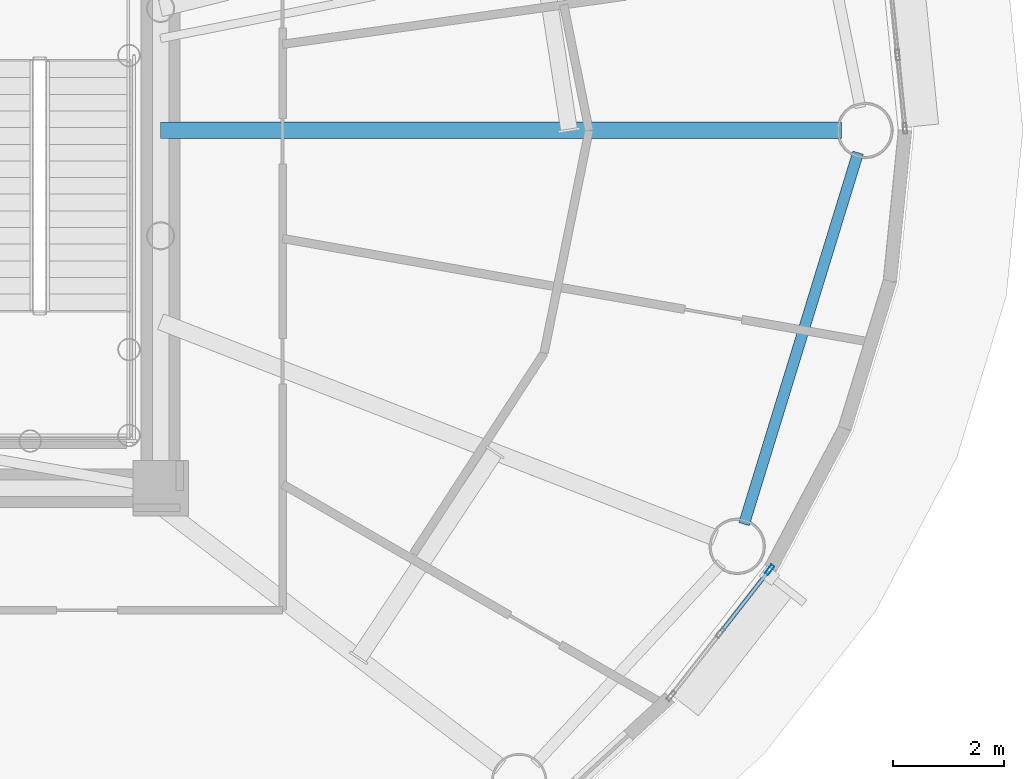
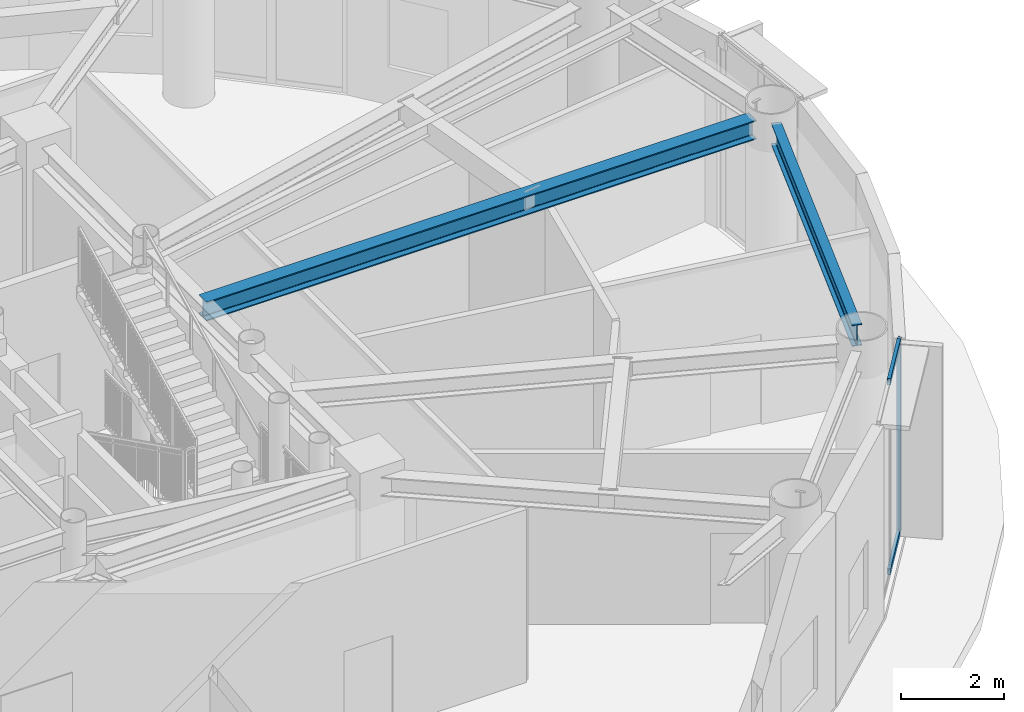
# One storey, part 15 of 32: 3 members, 2 beams, 1 element without a shape of its own.
"""IFC4 building model written with IfcOpenShell, lengths in metres."""

from ifc_helpers import new_model, si_unit, direction, frame, origin, origin_2d, place, context, subcontext, project, spatial, hollow_rectangle, i_section, extrude, source, transform, mapped, material, layer, layer_set, material_profile, profile_set, type_object, element, aggregate, save


model = new_model("IFC4")

# Units and contexts
model_context = context("Model", 3, precision=1e-05, world=origin(), true_north=direction((0.0, 1.0)))
body_context = subcontext(model_context, "Body", "Model", "MODEL_VIEW")
ifc_project = project(units=[si_unit("LENGTHUNIT", "METRE"), si_unit("AREAUNIT", "SQUARE_METRE"), si_unit("VOLUMEUNIT", "CUBIC_METRE"), si_unit("PLANEANGLEUNIT", "RADIAN"), si_unit("MASSUNIT", "GRAM", prefix="KILO")], contexts=[model_context])

# Site, building, storey
site_placement = place(None, origin())
site = spatial("IfcSite", under=ifc_project, at=site_placement, CompositionType="ELEMENT")
building_placement = place(site_placement, origin())
building = spatial("IfcBuilding", under=site, at=building_placement, Name="Linh Dai School and Residence Tower", CompositionType="ELEMENT")
storey_placement = place(building_placement, frame((0.0, 0.0, 268.199951171875)))
storey = spatial("IfcBuildingStorey", under=building, at=storey_placement, Name="L66", CompositionType="ELEMENT", Elevation=268.199951171875)

# Beams
ifc_material_1 = material(Name="Structural Steel S355JR", Category="steel")
ifc_material_profile_1 = material_profile(ifc_material_1, i_section(OverallWidth=0.199951171875, OverallDepth=0.5, WebThickness=0.01025390625, FlangeThickness=0.01611328125, FilletRadius=0.02099609375, at=origin_2d()), Name="IPE 500")
ifc_profile_set_1 = profile_set([ifc_material_profile_1], Name="Structural Steel S355JR")
beam_type_1 = type_object("IfcBeamType", Name="BM-RB50", PredefinedType="BEAM", material=ifc_profile_set_1)
beam_1_placement = place(storey_placement, frame((55.369384765625, 19.902099609375, 4.300048828125), z_axis=(0.293681749834, 0.955903253376, 0.0), x_axis=(-0.955903253376, 0.293681749834, 0.0)))
element("IfcBeam", 1, at=beam_1_placement, inside=storey, type_object=beam_type_1, Name="L66 Perimeter Elliptical Ring Beam 16", PredefinedType="BEAM", context=body_context, shape_type="SweptSolid", body=[
    extrude(i_section(OverallWidth=0.199951171875, OverallDepth=0.5, WebThickness=0.01025390625, FlangeThickness=0.01611328125, FilletRadius=0.02099609375, at=origin_2d()), origin(), (0.0, 0.0, 1.0), 7.00537109375),
])
ifc_material_profile_2 = material_profile(ifc_material_1, i_section(OverallWidth=0.300048828125, OverallDepth=0.449951171875, WebThickness=0.013916015625, FlangeThickness=0.02587890625, FilletRadius=0.027099609375, at=origin_2d()), Name="HEB 450")
ifc_profile_set_2 = profile_set([ifc_material_profile_2], Name="Structural Steel S355JR")
beam_type_2 = type_object("IfcBeamType", Name="BM-RG45", PredefinedType="BEAM", material=ifc_profile_set_2)
beam_2_placement = place(storey_placement, frame((44.85009765625, 27.0, 4.324951171875), z_axis=(1.0, 0.0, 0.0), x_axis=(0.0, 1.0, 0.0)))
element("IfcBeam", 2, at=beam_2_placement, inside=storey, type_object=beam_type_2, Name="L66 Primary Radial Floor Girder 01", PredefinedType="BEAM", context=body_context, shape_type="SweptSolid", body=[
    extrude(i_section(OverallWidth=0.300048828125, OverallDepth=0.449951171875, WebThickness=0.013916015625, FlangeThickness=0.02587890625, FilletRadius=0.027099609375, at=origin_2d()), origin(), (0.0, 0.0, 1.0), 12.27978515625),
])

# Curtain wall, members
ifc_material_2 = material(Name="Aluminium Anodised Curtain Wall", Category="aluminium")
ifc_layer = layer(ifc_material_2, 0.18994140625)
ifc_layer_set = layer_set([ifc_layer], Name="Aluminium Anodised Curtain Wall")
curtain_wall_type = type_object("IfcCurtainWallType", Name="CW-SYS-5", PredefinedType="USERDEFINED", material=ifc_layer_set)
curtain_wall_placement = place(storey_placement, origin())
curtain_wall = element("IfcCurtainWall", 3, at=curtain_wall_placement, inside=storey, type_object=curtain_wall_type, Name="L66 CW5 Curtain Wall 37", ObjectType="UNITISED CURTAIN WALL", PredefinedType="USERDEFINED")
ifc_material_3 = material(Name="Aluminium Alloy 6063-T6", Category="aluminium")
ifc_material_profile_3 = material_profile(ifc_material_3, hollow_rectangle(XDim=0.070068359375, YDim=0.18994140625, WallThickness=0.00390625, at=origin_2d()), Name="RHS 190x70x4")
ifc_profile_set_3 = profile_set([ifc_material_profile_3], Name="Aluminium Alloy 6063-T6")
member_type_1 = type_object("IfcMemberType", Name="CW-SYS-5-MUL", PredefinedType="MULLION", material=ifc_profile_set_3)
shared_shape_1 = source(origin(), body_context, "Body", "SweptSolid", [
    extrude(hollow_rectangle(XDim=0.070068359375, YDim=0.18994140625, WallThickness=0.00390625, at=origin_2d()), origin(), (0.0, 0.0, 1.0), 4.550048828125),
])
member_1_placement = place(storey_placement, frame((55.832275390625, 19.07763671875, 0.0), z_axis=(0.0, 0.0, 1.0), x_axis=(0.78750300393, -0.616310813471, 0.0)))
member_1 = element("IfcMember", 4, at=member_1_placement, type_object=member_type_1, Name="CW5 mullion 1", PredefinedType="MULLION", context=body_context, shape_type="MappedRepresentation", body=[
    mapped(shared_shape_1, transform((0.0, 0.0, 0.0), x_axis=(1.0, 0.0, 0.0), y_axis=(0.0, 1.0, 0.0), z_axis=(0.0, 0.0, 1.0), scale=1.0)),
])
ifc_material_profile_4 = material_profile(ifc_material_3, hollow_rectangle(XDim=0.070068359375, YDim=0.14990234375, WallThickness=0.00390625, at=origin_2d()), Name="RHS 150x70x4")
ifc_profile_set_4 = profile_set([ifc_material_profile_4], Name="Aluminium Alloy 6063-T6")
member_type_2 = type_object("IfcMemberType", Name="CW-SYS-5-TRN", PredefinedType="USERDEFINED", material=ifc_profile_set_4)
shared_shape_2 = source(origin(), body_context, "Body", "SweptSolid", [
    extrude(hollow_rectangle(XDim=0.070068359375, YDim=0.14990234375, WallThickness=0.00390625, at=origin_2d()), origin(), (0.0, 0.0, 1.0), 1.374267578125),
])
member_2_placement = place(storey_placement, frame((55.810546875, 19.050048828125, 0.03515625), z_axis=(-0.616274730069, -0.78753124197, 0.0), x_axis=(0.78753124197, -0.616274730069, 0.0)))
member_2 = element("IfcMember", 5, at=member_2_placement, type_object=member_type_2, Name="CW5 transom 1.1", ObjectType="TRANSOM", PredefinedType="USERDEFINED", context=body_context, shape_type="MappedRepresentation", body=[
    mapped(shared_shape_2, transform((0.0, 0.0, 0.0), x_axis=(1.0, 0.0, 0.0), y_axis=(0.0, 1.0, 0.0), z_axis=(0.0, 0.0, 1.0), scale=1.0)),
])
member_3_placement = place(storey_placement, frame((55.810546875, 19.050048828125, 4.51513671875), z_axis=(-0.616274730069, -0.78753124197, 0.0), x_axis=(0.78753124197, -0.616274730069, 0.0)))
member_3 = element("IfcMember", 6, at=member_3_placement, type_object=member_type_2, Name="CW5 transom 1.2", ObjectType="TRANSOM", PredefinedType="USERDEFINED", context=body_context, shape_type="MappedRepresentation", body=[
    mapped(shared_shape_2, transform((0.0, 0.0, 0.0), x_axis=(1.0, 0.0, 0.0), y_axis=(0.0, 1.0, 0.0), z_axis=(0.0, 0.0, 1.0), scale=1.0)),
])
aggregate(curtain_wall, [member_1, member_2, member_3])

save(model, "model.ifc")
